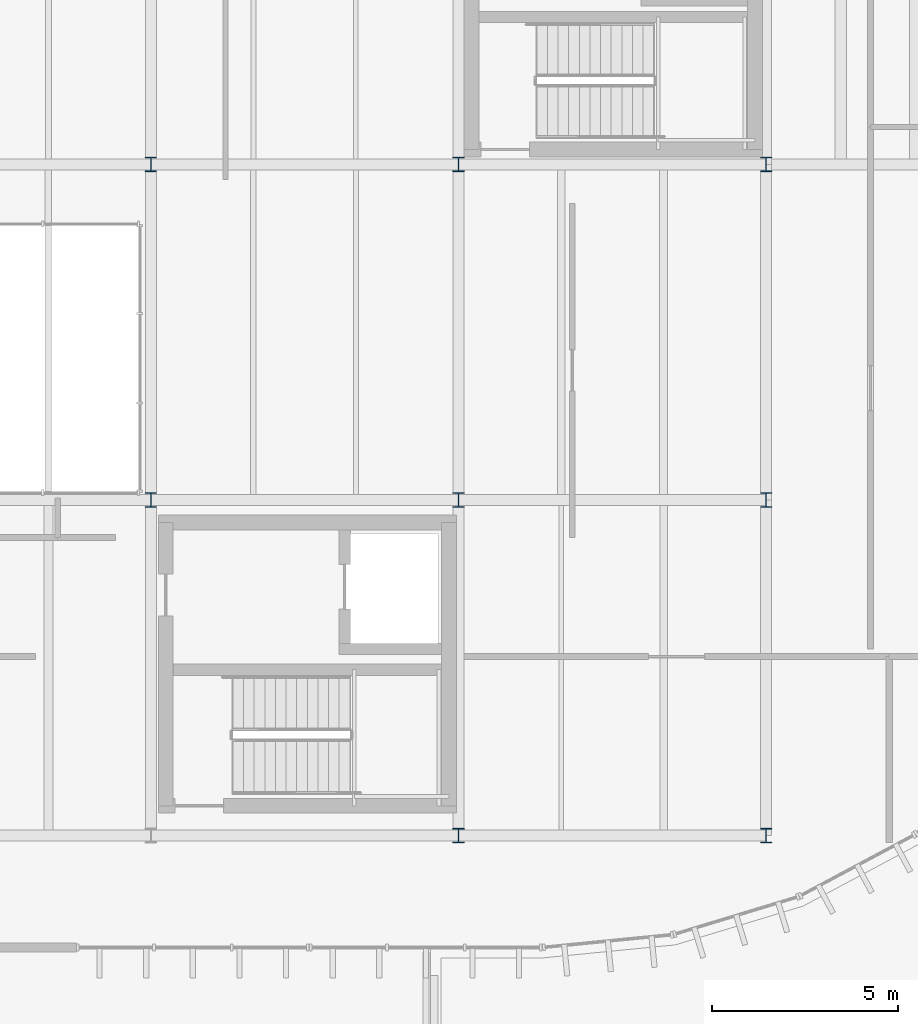
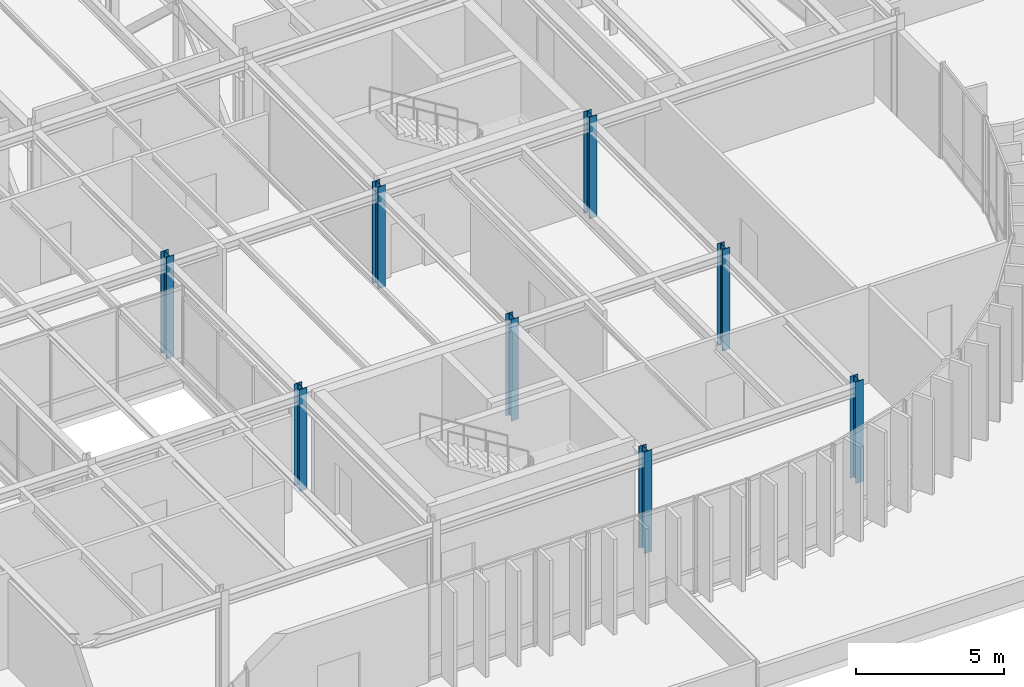
# One storey, part 2 of 29: 8 columns.
"""IFC4 building model written with IfcOpenShell, lengths in metres."""

from ifc_helpers import new_model, si_unit, direction, frame, origin, origin_2d, place, context, subcontext, project, spatial, i_section, extrude, material, material_profile, profile_set, type_object, element, save


model = new_model("IFC4")

# Units and contexts
model_context = context("Model", 3, precision=1e-05, world=origin(), true_north=direction((0.0, 1.0)))
body_context = subcontext(model_context, "Body", "Model", "MODEL_VIEW")
ifc_project = project(units=[si_unit("LENGTHUNIT", "METRE"), si_unit("AREAUNIT", "SQUARE_METRE"), si_unit("VOLUMEUNIT", "CUBIC_METRE"), si_unit("PLANEANGLEUNIT", "RADIAN"), si_unit("MASSUNIT", "GRAM", prefix="KILO")], contexts=[model_context])

# Site, building, storey
site_placement = place(None, origin())
site = spatial("IfcSite", under=ifc_project, at=site_placement, CompositionType="ELEMENT")
building_placement = place(site_placement, origin())
building = spatial("IfcBuilding", under=site, at=building_placement, Name="Montealbar Specialist Clinic", CompositionType="ELEMENT")
storey_placement = place(building_placement, frame((0.0, 0.0, 22.199951171875)))
storey = spatial("IfcBuildingStorey", under=building, at=storey_placement, Name="L05", CompositionType="ELEMENT", Elevation=22.199951171875)

# Columns
ifc_material = material(Name="Steel S355", Category="steel")
ifc_material_profile_1 = material_profile(ifc_material, i_section(OverallWidth=0.300048828125, OverallDepth=0.389892578125, WebThickness=0.010986328125, FlangeThickness=0.01904296875, FilletRadius=0.027099609375, at=origin_2d()), Name="HEA 400", Category="steel")
ifc_profile_set_1 = profile_set([ifc_material_profile_1], Name="Steel S355")
column_type_1 = type_object("IfcColumnType", Name="COL-S-L05-STD", PredefinedType="COLUMN", material=ifc_profile_set_1)
for number, where, z_axis, x_axis, name in (
    (1, (82.5, 27.0, 0.0), (0.0, 0.0, 1.0), (1.0, 0.0, 0.0), "Column 11/D L05"),
    (2, (90.75, 9.0, 0.0), (0.0, 0.0, 1.0), (1.0, 0.0, 0.0), "Column 12/B L05"),
    (3, (90.75, 18.0, 0.0), (0.0, 0.0, 1.0), (1.0, 0.0, 0.0), "Column 12/C L05"),
    (4, (90.75, 27.0, 0.0), (0.0, 0.0, 1.0), (1.0, 0.0, 0.0), "Column 12/D L05"),
    (5, (99.0, 9.0, 0.0), (0.0, 0.0, 1.0), (1.0, 0.0, 0.0), "Column 13/B L05"),
    (6, (99.0, 18.0, 0.0), (0.0, 0.0, 1.0), (1.0, 0.0, 0.0), "Column 13/C L05"),
    (7, (99.0, 27.0, 0.0), (0.0, 0.0, 1.0), (1.0, 0.0, 0.0), "Column 13/D L05"),
):
    element("IfcColumn", number, at=place(storey_placement, frame(where, z_axis=z_axis, x_axis=x_axis)), inside=storey, type_object=column_type_1, Name=name, PredefinedType="COLUMN", context=body_context, shape_type="SweptSolid", body=[
        extrude(i_section(OverallWidth=0.300048828125, OverallDepth=0.389892578125, WebThickness=0.010986328125, FlangeThickness=0.01904296875, FilletRadius=0.027099609375, at=origin_2d()), origin(), (0.0, 0.0, 1.0), 4.199951171875),
    ])
ifc_material_profile_2 = material_profile(ifc_material, i_section(OverallWidth=0.300048828125, OverallDepth=0.389892578125, WebThickness=0.010986328125, FlangeThickness=0.01904296875, FilletRadius=0.027099609375, at=origin_2d()), Name="HEA 400", Category="steel")
ifc_profile_set_2 = profile_set([ifc_material_profile_2], Name="Steel S355")
column_type_2 = type_object("IfcColumnType", Name="COL-S-L05-STD-EXT", PredefinedType="COLUMN", material=ifc_profile_set_2)
column_placement = place(storey_placement, frame((82.5, 18.0, 0.0), z_axis=(0.0, 0.0, 1.0), x_axis=(1.0, 0.0, 0.0)))
element("IfcColumn", 8, at=column_placement, inside=storey, type_object=column_type_2, Name="Column 11/C L05", PredefinedType="COLUMN", context=body_context, shape_type="SweptSolid", body=[
    extrude(i_section(OverallWidth=0.300048828125, OverallDepth=0.389892578125, WebThickness=0.010986328125, FlangeThickness=0.01904296875, FilletRadius=0.027099609375, at=origin_2d()), origin(), (0.0, 0.0, 1.0), 4.199951171875),
])

save(model, "model.ifc")
